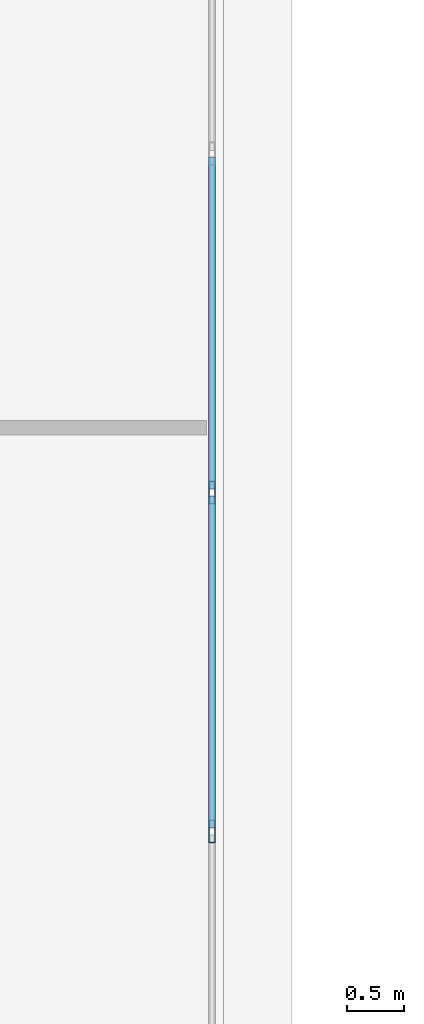
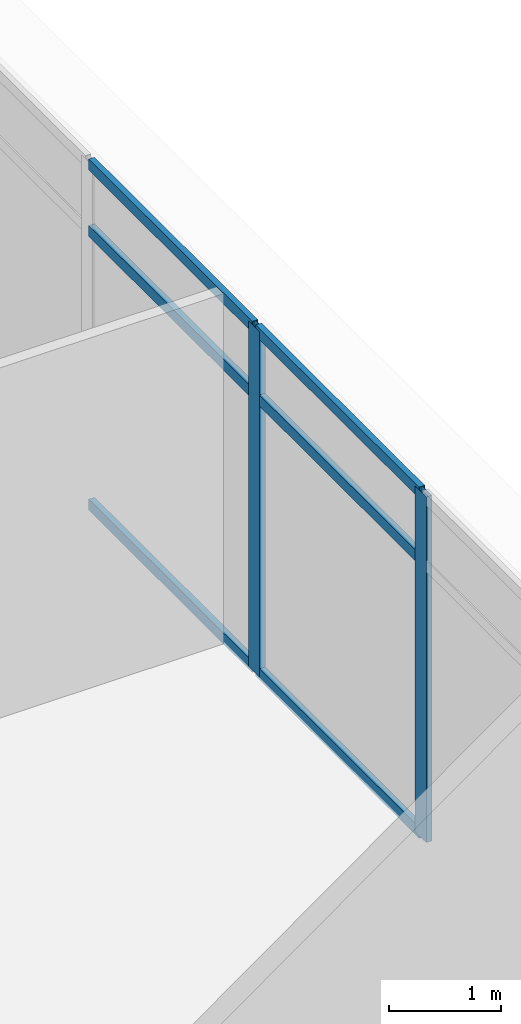
# One storey, part 19 of 40: 8 members, 1 element without a shape of its own.
"""IFC4 building model written with IfcOpenShell, lengths in metres."""

from ifc_helpers import new_model, si_unit, direction, frame, origin, origin_2d, place, context, subcontext, project, spatial, hollow_rectangle, extrude, source, transform, mapped, material, material_profile, profile_set, type_object, element, aggregate, save


model = new_model("IFC4")

# Units and contexts
model_context = context("Model", 3, precision=1e-05, world=origin(), true_north=direction((0.0, 1.0)))
body_context = subcontext(model_context, "Body", "Model", "MODEL_VIEW")
ifc_project = project(units=[si_unit("LENGTHUNIT", "METRE"), si_unit("AREAUNIT", "SQUARE_METRE"), si_unit("VOLUMEUNIT", "CUBIC_METRE"), si_unit("PLANEANGLEUNIT", "RADIAN"), si_unit("MASSUNIT", "GRAM", prefix="KILO")], contexts=[model_context])

# Site, building, storey
site_placement = place(None, origin())
site = spatial("IfcSite", under=ifc_project, at=site_placement, CompositionType="ELEMENT")
building_placement = place(site_placement, origin())
building = spatial("IfcBuilding", under=site, at=building_placement, Name="Khomas Fold Tower", CompositionType="ELEMENT")
storey_placement = place(building_placement, frame((0.0, 0.0, 176.699951171875)))
storey = spatial("IfcBuildingStorey", under=building, at=storey_placement, Name="L38", CompositionType="ELEMENT", Elevation=176.699951171875)

# Curtain wall, members
ifc_material_1 = material(Name="Aluminium framed double glazing", Category="aluminium")
curtain_wall_type = type_object("IfcCurtainWallType", Name="Notch glazing GN-CW", PredefinedType="NOTDEFINED", material=ifc_material_1)
curtain_wall_placement = place(storey_placement, origin())
curtain_wall = element("IfcCurtainWall", 1, at=curtain_wall_placement, inside=storey, type_object=curtain_wall_type, Name="Notch glazing run", PredefinedType="NOTDEFINED")
ifc_material_2 = material(Name="Aluminium", Category="aluminium")
ifc_material_profile_1 = material_profile(ifc_material_2, hollow_rectangle(XDim=0.06005859375, YDim=0.1201171875, WallThickness=0.00390625, at=origin_2d()), Name="Notch glazing transom GN-CW-T")
ifc_profile_set_1 = profile_set([ifc_material_profile_1], Name="Aluminium")
member_type_1 = type_object("IfcMemberType", Name="Notch glazing transom GN-CW-T", PredefinedType="USERDEFINED", material=ifc_profile_set_1)
shared_shape_1 = source(origin(), body_context, "Body", "SweptSolid", [
    extrude(hollow_rectangle(XDim=0.06005859375, YDim=0.1201171875, WallThickness=0.00390625, at=origin_2d()), origin(), (0.0, 0.0, 1.0), 2.90673828125),
])
member_1_placement = place(storey_placement, frame((32.64990234375, 35.99658203125, 0.030029296875), z_axis=(0.0, 1.0, 0.0), x_axis=(-1.0, 0.0, 0.0)))
member_1 = element("IfcMember", 2, at=member_1_placement, type_object=member_type_1, Name="GN-CW transom 2.1", ObjectType="TRANSOM", PredefinedType="USERDEFINED", context=body_context, shape_type="MappedRepresentation", body=[
    mapped(shared_shape_1, transform((0.0, 0.0, 0.0))),
])
member_2_placement = place(storey_placement, frame((32.64990234375, 35.99658203125, 3.0), z_axis=(0.0, 1.0, 0.0), x_axis=(-1.0, 0.0, 0.0)))
member_2 = element("IfcMember", 3, at=member_2_placement, type_object=member_type_1, Name="GN-CW transom 2.2", ObjectType="TRANSOM", PredefinedType="USERDEFINED", context=body_context, shape_type="MappedRepresentation", body=[
    mapped(shared_shape_1, transform((0.0, 0.0, 0.0))),
])
member_3_placement = place(storey_placement, frame((32.64990234375, 35.99658203125, 3.719970703125), z_axis=(0.0, 1.0, 0.0), x_axis=(-1.0, 0.0, 0.0)))
member_3 = element("IfcMember", 4, at=member_3_placement, type_object=member_type_1, Name="GN-CW transom 2.3", ObjectType="TRANSOM", PredefinedType="USERDEFINED", context=body_context, shape_type="MappedRepresentation", body=[
    mapped(shared_shape_1, transform((0.0, 0.0, 0.0))),
])
member_4_placement = place(storey_placement, frame((32.64990234375, 38.96337890625, 0.030029296875), z_axis=(0.0, 1.0, 0.0), x_axis=(-1.0, 0.0, 0.0)))
member_4 = element("IfcMember", 5, at=member_4_placement, type_object=member_type_1, Name="GN-CW transom 3.1", ObjectType="TRANSOM", PredefinedType="USERDEFINED", context=body_context, shape_type="MappedRepresentation", body=[
    mapped(shared_shape_1, transform((0.0, 0.0, 0.0))),
])
member_5_placement = place(storey_placement, frame((32.64990234375, 38.96337890625, 3.0), z_axis=(0.0, 1.0, 0.0), x_axis=(-1.0, 0.0, 0.0)))
member_5 = element("IfcMember", 6, at=member_5_placement, type_object=member_type_1, Name="GN-CW transom 3.2", ObjectType="TRANSOM", PredefinedType="USERDEFINED", context=body_context, shape_type="MappedRepresentation", body=[
    mapped(shared_shape_1, transform((0.0, 0.0, 0.0))),
])
member_6_placement = place(storey_placement, frame((32.64990234375, 38.96337890625, 3.719970703125), z_axis=(0.0, 1.0, 0.0), x_axis=(-1.0, 0.0, 0.0)))
member_6 = element("IfcMember", 7, at=member_6_placement, type_object=member_type_1, Name="GN-CW transom 3.3", ObjectType="TRANSOM", PredefinedType="USERDEFINED", context=body_context, shape_type="MappedRepresentation", body=[
    mapped(shared_shape_1, transform((0.0, 0.0, 0.0))),
])
ifc_material_3 = material(Name="Aluminium", Category="aluminium")
ifc_material_profile_2 = material_profile(ifc_material_3, hollow_rectangle(XDim=0.06005859375, YDim=0.199951171875, WallThickness=0.00390625, at=origin_2d()), Name="Notch glazing mullion GN-CW-M")
ifc_profile_set_2 = profile_set([ifc_material_profile_2], Name="Aluminium")
member_type_2 = type_object("IfcMemberType", Name="Notch glazing mullion GN-CW-M", PredefinedType="MULLION", material=ifc_profile_set_2)
shared_shape_2 = source(origin(), body_context, "Body", "SweptSolid", [
    extrude(hollow_rectangle(XDim=0.06005859375, YDim=0.199951171875, WallThickness=0.00390625, at=origin_2d()), origin(), (0.0, 0.0, 1.0), 3.75),
])
member_7_placement = place(storey_placement, frame((32.64990234375, 35.966552734375, 0.0), z_axis=(0.0, 0.0, 1.0), x_axis=(-1.0, 0.0, 0.0)))
member_7 = element("IfcMember", 8, at=member_7_placement, type_object=member_type_2, Name="GN-CW mullion 2", PredefinedType="MULLION", context=body_context, shape_type="MappedRepresentation", body=[
    mapped(shared_shape_2, transform((0.0, 0.0, 0.0))),
])
member_8_placement = place(storey_placement, frame((32.64990234375, 38.933349609375, 0.0), z_axis=(0.0, 0.0, 1.0), x_axis=(-1.0, 0.0, 0.0)))
member_8 = element("IfcMember", 9, at=member_8_placement, type_object=member_type_2, Name="GN-CW mullion 3", PredefinedType="MULLION", context=body_context, shape_type="MappedRepresentation", body=[
    mapped(shared_shape_2, transform((0.0, 0.0, 0.0))),
])
aggregate(curtain_wall, [member_7, member_8, member_1, member_2, member_3, member_4, member_5, member_6])

save(model, "model.ifc")
